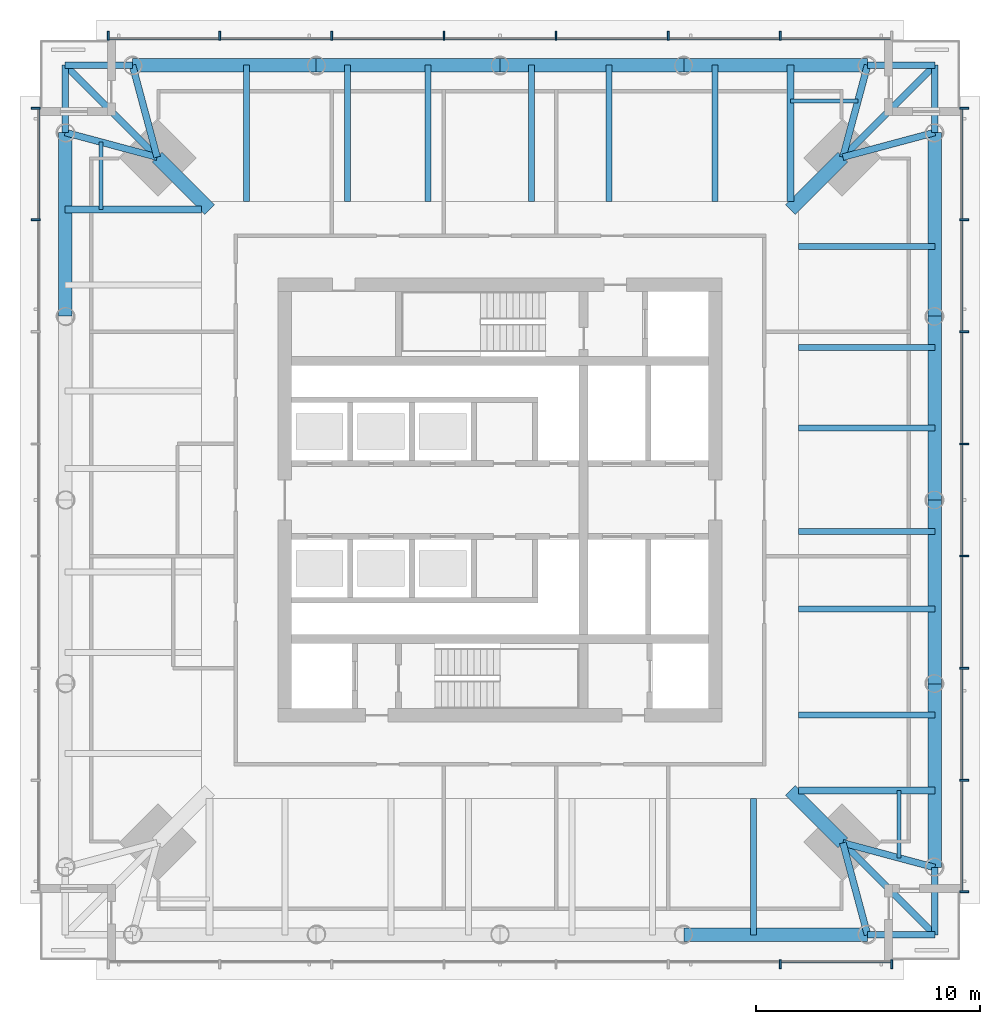
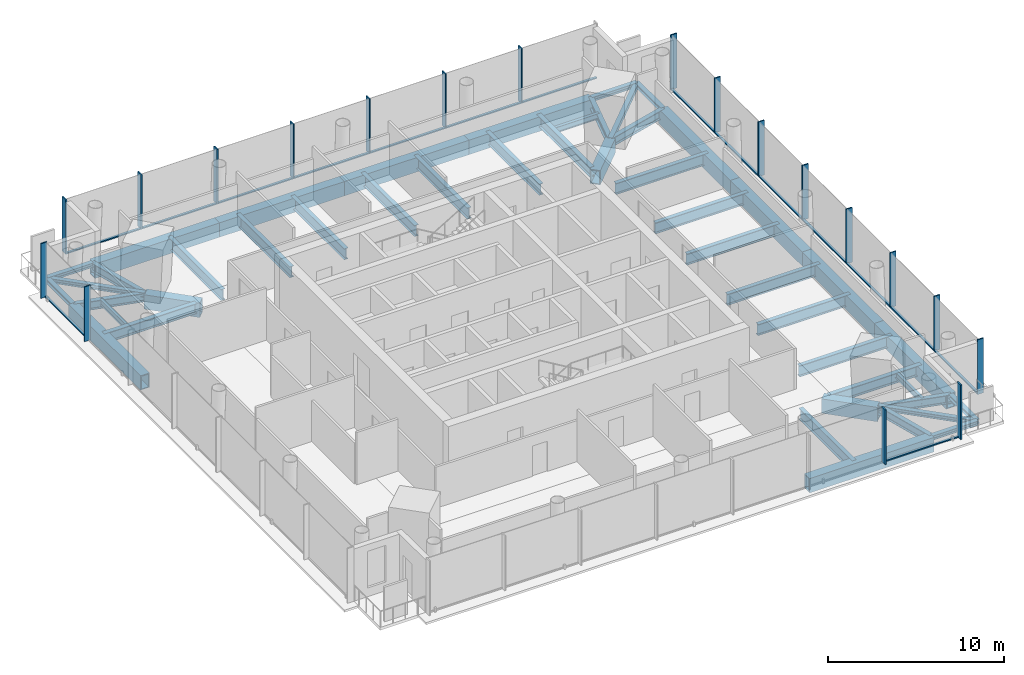
# One storey, part 2 of 12: 48 members, 34 beams, 4 elements without a shape of their own.
"""IFC4 building model written with IfcOpenShell, lengths in metres."""

from ifc_helpers import new_model, si_unit, direction, frame, origin, origin_2d, place, context, subcontext, project, spatial, rectangle, hollow_rectangle, i_section, extrude, material, material_profile, profile_set, type_object, element, aggregate, save


model = new_model("IFC4")

# Units and contexts
model_context = context("Model", 3, precision=1e-05, world=origin(), true_north=direction((0.0, 1.0)))
body_context = subcontext(model_context, "Body", "Model", "MODEL_VIEW")
ifc_project = project(units=[si_unit("LENGTHUNIT", "METRE"), si_unit("AREAUNIT", "SQUARE_METRE"), si_unit("VOLUMEUNIT", "CUBIC_METRE"), si_unit("PLANEANGLEUNIT", "RADIAN"), si_unit("MASSUNIT", "GRAM", prefix="KILO")], contexts=[model_context])

# Site, building, storey
site_placement = place(None, origin())
site = spatial("IfcSite", under=ifc_project, at=site_placement, CompositionType="ELEMENT")
building_placement = place(site_placement, origin())
building = spatial("IfcBuilding", under=site, at=building_placement, Name="Ostroluk Exchange", CompositionType="ELEMENT")
storey_placement = place(building_placement, frame((0.0, 0.0, 165.39990234375)))
storey = spatial("IfcBuildingStorey", under=building, at=storey_placement, Name="L42", CompositionType="ELEMENT", Elevation=165.39990234375)

# Beams
ifc_material_1 = material(Name="Steel S355", Category="steel")
ifc_material_profile_1 = material_profile(ifc_material_1, i_section(OverallWidth=0.300048828125, OverallDepth=0.300048828125, WebThickness=0.010986328125, FlangeThickness=0.01904296875, FilletRadius=0.027099609375, at=origin_2d()), Name="HEB 300")
ifc_profile_set_1 = profile_set([ifc_material_profile_1], Name="Steel S355")
beam_type_1 = type_object("IfcBeamType", Name="Balcony beam HEB 300", PredefinedType="BEAM", material=ifc_profile_set_1)
for number, where, z_axis, x_axis, name in (
    (1, (64.3857421875, 62.3857421875, -0.349853515625), (0.0, 1.0, 0.0), (-1.0, 0.0, 0.0), "T1 east balcony beam a"),
    (2, (61.3857421875, 65.3857421875, -0.349853515625), (1.0, 0.0, 0.0), (0.0, 1.0, 0.0), "T1 east balcony beam b"),
):
    element("IfcBeam", number, at=place(storey_placement, frame(where, z_axis=z_axis, x_axis=x_axis)), inside=storey, type_object=beam_type_1, Name=name, PredefinedType="BEAM", context=body_context, shape_type="SweptSolid", body=[
        extrude(i_section(OverallWidth=0.300048828125, OverallDepth=0.300048828125, WebThickness=0.010986328125, FlangeThickness=0.01904296875, FilletRadius=0.027099609375, at=origin_2d()), origin(), (0.0, 0.0, 1.0), 3.0),
    ])
beam_1_placement = place(storey_placement, frame((60.28564453125, 61.28564453125, -0.349853515625), z_axis=(0.707106781187, 0.707106781187, 0.0), x_axis=(-0.707106781187, 0.707106781187, 0.0)))
element("IfcBeam", 3, at=beam_1_placement, inside=storey, type_object=beam_type_1, Name="T1 east balcony beam c", PredefinedType="BEAM", context=body_context, shape_type="SweptSolid", body=[
    extrude(i_section(OverallWidth=0.300048828125, OverallDepth=0.300048828125, WebThickness=0.010986328125, FlangeThickness=0.01904296875, FilletRadius=0.027099609375, at=origin_2d()), origin(), (0.0, 0.0, 1.0), 5.79833984375),
])
for number, where, z_axis, x_axis, name in (
    (4, (28.6142578125, 65.3857421875, -0.349853515625), (-1.0, 0.0, 0.0), (0.0, -1.0, 0.0), "T1 north balcony beam a"),
    (5, (25.6142578125, 62.3857421875, -0.349853515625), (0.0, 1.0, 0.0), (-1.0, 0.0, 0.0), "T1 north balcony beam b"),
):
    element("IfcBeam", number, at=place(storey_placement, frame(where, z_axis=z_axis, x_axis=x_axis)), inside=storey, type_object=beam_type_1, Name=name, PredefinedType="BEAM", context=body_context, shape_type="SweptSolid", body=[
        extrude(i_section(OverallWidth=0.300048828125, OverallDepth=0.300048828125, WebThickness=0.010986328125, FlangeThickness=0.01904296875, FilletRadius=0.027099609375, at=origin_2d()), origin(), (0.0, 0.0, 1.0), 3.0),
    ])
beam_2_placement = place(storey_placement, frame((29.71435546875, 61.28564453125, -0.349853515625), z_axis=(-0.707106781187, 0.707106781187, 0.0), x_axis=(-0.707106781187, -0.707106781187, 0.0)))
element("IfcBeam", 6, at=beam_2_placement, inside=storey, type_object=beam_type_1, Name="T1 north balcony beam c", PredefinedType="BEAM", context=body_context, shape_type="SweptSolid", body=[
    extrude(i_section(OverallWidth=0.300048828125, OverallDepth=0.300048828125, WebThickness=0.010986328125, FlangeThickness=0.01904296875, FilletRadius=0.027099609375, at=origin_2d()), origin(), (0.0, 0.0, 1.0), 5.79833984375),
])
for number, where, z_axis, x_axis, name in (
    (7, (61.3857421875, 26.6142578125, -0.349853515625), (1.0, 0.0, 0.0), (0.0, 1.0, 0.0), "T1 south balcony beam a"),
    (8, (64.3857421875, 29.6142578125, -0.349853515625), (0.0, -1.0, 0.0), (1.0, 0.0, 0.0), "T1 south balcony beam b"),
):
    element("IfcBeam", number, at=place(storey_placement, frame(where, z_axis=z_axis, x_axis=x_axis)), inside=storey, type_object=beam_type_1, Name=name, PredefinedType="BEAM", context=body_context, shape_type="SweptSolid", body=[
        extrude(i_section(OverallWidth=0.300048828125, OverallDepth=0.300048828125, WebThickness=0.010986328125, FlangeThickness=0.01904296875, FilletRadius=0.027099609375, at=origin_2d()), origin(), (0.0, 0.0, 1.0), 3.0),
    ])
beam_3_placement = place(storey_placement, frame((60.28564453125, 30.71435546875, -0.349853515625), z_axis=(0.707106781187, -0.707106781187, 0.0), x_axis=(0.707106781187, 0.707106781187, 0.0)))
element("IfcBeam", 9, at=beam_3_placement, inside=storey, type_object=beam_type_1, Name="T1 south balcony beam c", PredefinedType="BEAM", context=body_context, shape_type="SweptSolid", body=[
    extrude(i_section(OverallWidth=0.300048828125, OverallDepth=0.300048828125, WebThickness=0.010986328125, FlangeThickness=0.01904296875, FilletRadius=0.027099609375, at=origin_2d()), origin(), (0.0, 0.0, 1.0), 5.79833984375),
])

# Members
ifc_material_2 = material(Name="Steel S460", Category="steel")
ifc_material_profile_2 = material_profile(ifc_material_2, hollow_rectangle(XDim=0.60009765625, YDim=1.0, WallThickness=0.06005859375, at=origin_2d()), Name="BOX 600x1000x60")
ifc_profile_set_2 = profile_set([ifc_material_profile_2], Name="Steel S460")
member_type_1 = type_object("IfcMemberType", Name="Belt truss chord BOX 600x1000x60", PredefinedType="CHORD", material=ifc_profile_set_2)
for number, where, z_axis, x_axis, name in (
    (10, (64.3857421875, 29.6142578125, -0.699951171875), (0.0, 1.0, 0.0), (-1.0, 0.0, 0.0), "Belt truss 2 east chord 3.1"),
    (11, (64.3857421875, 37.80712890625, -0.699951171875), (0.0, 1.0, 0.0), (-1.0, 0.0, 0.0), "Belt truss 2 east chord 3.2"),
    (12, (64.3857421875, 46.0, -0.699951171875), (0.0, 1.0, 0.0), (-1.0, 0.0, 0.0), "Belt truss 2 east chord 3.3"),
    (13, (64.3857421875, 54.19287109375, -0.699951171875), (0.0, 1.0, 0.0), (-1.0, 0.0, 0.0), "Belt truss 2 east chord 3.4"),
    (14, (61.3857421875, 65.3857421875, -0.699951171875), (-1.0, 0.0, 0.0), (0.0, -1.0, 0.0), "Belt truss 2 north chord 3.1"),
    (15, (53.19287109375, 65.3857421875, -0.699951171875), (-1.0, 0.0, 0.0), (0.0, -1.0, 0.0), "Belt truss 2 north chord 3.2"),
    (16, (45.0, 65.3857421875, -0.699951171875), (-1.0, 0.0, 0.0), (0.0, -1.0, 0.0), "Belt truss 2 north chord 3.3"),
    (17, (36.80712890625, 65.3857421875, -0.699951171875), (-1.0, 0.0, 0.0), (0.0, -1.0, 0.0), "Belt truss 2 north chord 3.4"),
    (18, (25.6142578125, 62.3857421875, -0.699951171875), (0.0, -1.0, 0.0), (1.0, 0.0, 0.0), "Belt truss 2 west chord 3.1"),
    (19, (53.19287109375, 26.6142578125, -0.699951171875), (1.0, 0.0, 0.0), (0.0, 1.0, 0.0), "Belt truss 2 south chord 3.4"),
):
    element("IfcMember", number, at=place(storey_placement, frame(where, z_axis=z_axis, x_axis=x_axis)), inside=storey, type_object=member_type_1, Name=name, PredefinedType="CHORD", context=body_context, shape_type="SweptSolid", body=[
        extrude(hollow_rectangle(XDim=0.60009765625, YDim=1.0, WallThickness=0.06005859375, at=origin_2d()), origin(), (0.0, 0.0, 1.0), 8.19287109375),
    ])

# Beams
ifc_material_3 = material(Name="Steel S355", Category="steel")
ifc_material_profile_3 = material_profile(ifc_material_3, i_section(OverallWidth=0.300048828125, OverallDepth=0.60009765625, WebThickness=0.015380859375, FlangeThickness=0.030029296875, FilletRadius=0.027099609375, at=origin_2d()), Name="HEB 600")
ifc_profile_set_3 = profile_set([ifc_material_profile_3], Name="Steel S355")
beam_type_2 = type_object("IfcBeamType", Name="Corner edge beam HEB 600", PredefinedType="SPANDREL", material=ifc_profile_set_3)
for number, where, z_axis, x_axis, name in (
    (20, (60.28564453125, 61.28564453125, -0.5), (0.965838624319, 0.259144268261, 0.0), (-0.259144268261, 0.965838624319, 0.0), "T1 east corner edge beam a"),
    (21, (60.28564453125, 61.28564453125, -0.5), (0.259144268261, 0.965838624319, 0.0), (-0.965838624319, 0.259144268261, 0.0), "T1 east corner edge beam b"),
    (22, (29.71435546875, 61.28564453125, -0.5), (-0.259144268261, 0.965838624319, 0.0), (-0.965838624319, -0.259144268261, 0.0), "T1 north corner edge beam a"),
    (23, (29.71435546875, 61.28564453125, -0.5), (-0.965838624319, 0.259144268261, 0.0), (-0.259144268261, -0.965838624319, 0.0), "T1 north corner edge beam b"),
    (24, (60.28564453125, 30.71435546875, -0.5), (0.259144268261, -0.965838624319, 0.0), (0.965838624319, 0.259144268261, 0.0), "T1 south corner edge beam a"),
    (25, (60.28564453125, 30.71435546875, -0.5), (0.965838624319, -0.259144268261, 0.0), (0.259144268261, 0.965838624319, 0.0), "T1 south corner edge beam b"),
):
    element("IfcBeam", number, at=place(storey_placement, frame(where, z_axis=z_axis, x_axis=x_axis)), inside=storey, type_object=beam_type_2, Name=name, PredefinedType="SPANDREL", context=body_context, shape_type="SweptSolid", body=[
        extrude(i_section(OverallWidth=0.300048828125, OverallDepth=0.60009765625, WebThickness=0.015380859375, FlangeThickness=0.030029296875, FilletRadius=0.027099609375, at=origin_2d()), origin(), (0.0, 0.0, 1.0), 4.2451171875),
    ])
ifc_material_4 = material(Name="Steel S355", Category="steel")
ifc_material_profile_4 = material_profile(ifc_material_4, i_section(OverallWidth=0.179931640625, OverallDepth=0.39990234375, WebThickness=0.008544921875, FlangeThickness=0.013427734375, FilletRadius=0.02099609375, at=origin_2d()), Name="IPE 400")
ifc_profile_set_4 = profile_set([ifc_material_profile_4], Name="Steel S355")
beam_type_3 = type_object("IfcBeamType", Name="Floor beam IPE 400", PredefinedType="BEAM", material=ifc_profile_set_4)
for number, where, z_axis, x_axis, name in (
    (26, (57.949951171875, 63.78564453125, -0.39990234375), (1.0, 0.0, 0.0), (0.0, 1.0, 0.0), "T1 east floor beam 7"),
    (27, (27.21435546875, 58.949951171875, -0.39990234375), (0.0, 1.0, 0.0), (-1.0, 0.0, 0.0), "T1 north floor beam 7"),
    (28, (62.78564453125, 33.050048828125, -0.39990234375), (0.0, -1.0, 0.0), (1.0, 0.0, 0.0), "T1 south floor beam 7"),
):
    element("IfcBeam", number, at=place(storey_placement, frame(where, z_axis=z_axis, x_axis=x_axis)), inside=storey, type_object=beam_type_3, Name=name, PredefinedType="BEAM", context=body_context, shape_type="SweptSolid", body=[
        extrude(i_section(OverallWidth=0.179931640625, OverallDepth=0.39990234375, WebThickness=0.008544921875, FlangeThickness=0.013427734375, FilletRadius=0.02099609375, at=origin_2d()), origin(), (0.0, 0.0, 1.0), 3.006591796875),
    ])
ifc_material_5 = material(Name="Steel S355", Category="steel")
ifc_material_profile_5 = material_profile(ifc_material_5, i_section(OverallWidth=0.26806640625, OverallDepth=0.77001953125, WebThickness=0.015625, FlangeThickness=0.025390625, FilletRadius=0.01708984375, at=origin_2d()), Name="IPE 750x196")
ifc_profile_set_5 = profile_set([ifc_material_profile_5], Name="Steel S355")
beam_type_4 = type_object("IfcBeamType", Name="Floor beam IPE 750x196", PredefinedType="BEAM", material=ifc_profile_set_5)
for number, where, z_axis, x_axis, name in (
    (29, (58.300048828125, 36.4072265625, -0.5849609375), (1.0, 0.0, 0.0), (0.0, 1.0, 0.0), "T1 east floor beam 1"),
    (30, (58.300048828125, 41.134033203125, -0.5849609375), (1.0, 0.0, 0.0), (0.0, 1.0, 0.0), "T1 east floor beam 2"),
    (31, (58.300048828125, 44.60009765625, -0.5849609375), (1.0, 0.0, 0.0), (0.0, 1.0, 0.0), "T1 east floor beam 3"),
    (32, (58.300048828125, 49.2177734375, -0.5849609375), (1.0, 0.0, 0.0), (0.0, 1.0, 0.0), "T1 east floor beam 4"),
    (33, (58.300048828125, 52.79296875, -0.5849609375), (1.0, 0.0, 0.0), (0.0, 1.0, 0.0), "T1 east floor beam 5"),
    (34, (58.300048828125, 57.3017578125, -0.5849609375), (1.0, 0.0, 0.0), (0.0, 1.0, 0.0), "T1 east floor beam 6"),
    (35, (54.5927734375, 59.300048828125, -0.5849609375), (0.0, 1.0, 0.0), (-1.0, 0.0, 0.0), "T1 north floor beam 1"),
    (36, (49.865966796875, 59.300048828125, -0.5849609375), (0.0, 1.0, 0.0), (-1.0, 0.0, 0.0), "T1 north floor beam 2"),
    (37, (46.39990234375, 59.300048828125, -0.5849609375), (0.0, 1.0, 0.0), (-1.0, 0.0, 0.0), "T1 north floor beam 3"),
    (38, (41.7822265625, 59.300048828125, -0.5849609375), (0.0, 1.0, 0.0), (-1.0, 0.0, 0.0), "T1 north floor beam 4"),
    (39, (38.20703125, 59.300048828125, -0.5849609375), (0.0, 1.0, 0.0), (-1.0, 0.0, 0.0), "T1 north floor beam 5"),
    (40, (33.6982421875, 59.300048828125, -0.5849609375), (0.0, 1.0, 0.0), (-1.0, 0.0, 0.0), "T1 north floor beam 6"),
    (41, (56.3017578125, 32.699951171875, -0.5849609375), (0.0, -1.0, 0.0), (1.0, 0.0, 0.0), "T1 south floor beam 6"),
):
    element("IfcBeam", number, at=place(storey_placement, frame(where, z_axis=z_axis, x_axis=x_axis)), inside=storey, type_object=beam_type_4, Name=name, PredefinedType="BEAM", context=body_context, shape_type="SweptSolid", body=[
        extrude(i_section(OverallWidth=0.26806640625, OverallDepth=0.77001953125, WebThickness=0.015625, FlangeThickness=0.025390625, FilletRadius=0.01708984375, at=origin_2d()), origin(), (0.0, 0.0, 1.0), 6.085693359375),
    ])
ifc_material_6 = material(Name="Steel S355", Category="steel")
ifc_material_profile_6 = material_profile(ifc_material_6, i_section(OverallWidth=0.300048828125, OverallDepth=0.699951171875, WebThickness=0.01708984375, FlangeThickness=0.031982421875, FilletRadius=0.027099609375, at=origin_2d()), Name="HEB 700")
ifc_profile_set_6 = profile_set([ifc_material_profile_6], Name="Steel S355")
beam_type_5 = type_object("IfcBeamType", Name="Girder HEB 700", PredefinedType="BEAM", material=ifc_profile_set_6)
for number, where, z_axis, x_axis, name in (
    (42, (57.949951171875, 59.300048828125, -0.5498046875), (0.0, 1.0, 0.0), (-1.0, 0.0, 0.0), "T1 east girder"),
    (43, (31.699951171875, 58.949951171875, -0.5498046875), (-1.0, 0.0, 0.0), (0.0, -1.0, 0.0), "T1 north girder"),
    (44, (58.300048828125, 33.050048828125, -0.5498046875), (1.0, 0.0, 0.0), (0.0, 1.0, 0.0), "T1 south girder"),
):
    element("IfcBeam", number, at=place(storey_placement, frame(where, z_axis=z_axis, x_axis=x_axis)), inside=storey, type_object=beam_type_5, Name=name, PredefinedType="BEAM", context=body_context, shape_type="SweptSolid", body=[
        extrude(i_section(OverallWidth=0.300048828125, OverallDepth=0.699951171875, WebThickness=0.01708984375, FlangeThickness=0.031982421875, FilletRadius=0.027099609375, at=origin_2d()), origin(), (0.0, 0.0, 1.0), 6.085693359375),
    ])

# Members
ifc_material_7 = material(Name="Steel S460", Category="steel")
ifc_material_profile_7 = material_profile(ifc_material_7, hollow_rectangle(XDim=0.60009765625, YDim=1.0, WallThickness=0.06005859375, at=origin_2d()), Name="BOX 600x1000x60")
ifc_profile_set_7 = profile_set([ifc_material_profile_7], Name="Steel S460")
member_type_2 = type_object("IfcMemberType", Name="Outrigger chord BOX 600x1000x60", PredefinedType="CHORD", material=ifc_profile_set_7)
for number, where, z_axis, x_axis, name in (
    (45, (57.949951171875, 58.949951171875, -0.699951171875), (0.707106781187, 0.707106781187, 0.0), (-0.707106781187, 0.707106781187, 0.0), "Outrigger 2 NE chord 3"),
    (46, (32.050048828125, 58.949951171875, -0.699951171875), (-0.707106781187, 0.707106781187, 0.0), (-0.707106781187, -0.707106781187, 0.0), "Outrigger 2 NW chord 3"),
    (47, (57.949951171875, 33.050048828125, -0.699951171875), (0.707106781187, -0.707106781187, 0.0), (0.707106781187, 0.707106781187, 0.0), "Outrigger 2 SE chord 3"),
):
    element("IfcMember", number, at=place(storey_placement, frame(where, z_axis=z_axis, x_axis=x_axis)), inside=storey, type_object=member_type_2, Name=name, PredefinedType="CHORD", context=body_context, shape_type="SweptSolid", body=[
        extrude(hollow_rectangle(XDim=0.60009765625, YDim=1.0, WallThickness=0.06005859375, at=origin_2d()), origin(), (0.0, 0.0, 1.0), 3.30322265625),
    ])

# Curtain wall, member
ifc_material_8 = material(Name="Laminated clear glass", Category="glass")
curtain_wall_type = type_object("IfcCurtainWallType", Name="Office tower plant and sky lobby facade", PredefinedType="USERDEFINED", material=ifc_material_8)
curtain_wall_1_placement = place(storey_placement, origin())
curtain_wall_1 = element("IfcCurtainWall", 48, at=curtain_wall_1_placement, inside=storey, type_object=curtain_wall_type, Name="Office tower south facade L42", ObjectType="LOUVRED CURTAIN WALL", PredefinedType="USERDEFINED")
ifc_material_9 = material(Name="Aluminium mullion", Category="aluminium")
ifc_material_profile_8 = material_profile(ifc_material_9, rectangle(XDim=0.14990234375, YDim=0.080078125, at=origin_2d()), Name="Sill transom 80 x 150")
ifc_profile_set_8 = profile_set([ifc_material_profile_8], Name="Aluminium mullion")
member_type_3 = type_object("IfcMemberType", Name="Sill transom 80 x 150", PredefinedType="USERDEFINED", material=ifc_profile_set_8)
member_1_placement = place(storey_placement, frame((57.5400390625, 25.425048828125, 0.0400390625), z_axis=(1.0, 0.0, 0.0), x_axis=(0.0, 1.0, 0.0)))
member_1 = element("IfcMember", 49, at=member_1_placement, type_object=member_type_3, Name="CW-P1 transom 7.1", ObjectType="TRANSOM", PredefinedType="USERDEFINED", context=body_context, shape_type="SweptSolid", body=[
    extrude(rectangle(XDim=0.14990234375, YDim=0.080078125, at=origin_2d()), origin(), (0.0, 0.0, 1.0), 4.8798828125),
])

# Curtain wall, members
curtain_wall_2_placement = place(storey_placement, origin())
curtain_wall_2 = element("IfcCurtainWall", 50, at=curtain_wall_2_placement, inside=storey, type_object=curtain_wall_type, Name="Office tower east facade L42", ObjectType="LOUVRED CURTAIN WALL", PredefinedType="USERDEFINED")
member_2_placement = place(storey_placement, frame((65.574951171875, 28.580078125, 0.0400390625), z_axis=(0.0, 1.0, 0.0), x_axis=(-1.0, 0.0, 0.0)))
member_2 = element("IfcMember", 51, at=member_2_placement, type_object=member_type_3, Name="CW-P1 transom 1.1", ObjectType="TRANSOM", PredefinedType="USERDEFINED", context=body_context, shape_type="SweptSolid", body=[
    extrude(rectangle(XDim=0.14990234375, YDim=0.080078125, at=origin_2d()), origin(), (0.0, 0.0, 1.0), 4.8798828125),
])
member_3_placement = place(storey_placement, frame((65.574951171875, 33.5400390625, 0.0400390625), z_axis=(0.0, 1.0, 0.0), x_axis=(-1.0, 0.0, 0.0)))
member_3 = element("IfcMember", 52, at=member_3_placement, type_object=member_type_3, Name="CW-P1 transom 2.1", ObjectType="TRANSOM", PredefinedType="USERDEFINED", context=body_context, shape_type="SweptSolid", body=[
    extrude(rectangle(XDim=0.14990234375, YDim=0.080078125, at=origin_2d()), origin(), (0.0, 0.0, 1.0), 4.919921875),
])
member_4_placement = place(storey_placement, frame((65.574951171875, 38.5400390625, 0.0400390625), z_axis=(0.0, 1.0, 0.0), x_axis=(-1.0, 0.0, 0.0)))
member_4 = element("IfcMember", 53, at=member_4_placement, type_object=member_type_3, Name="CW-P1 transom 3.1", ObjectType="TRANSOM", PredefinedType="USERDEFINED", context=body_context, shape_type="SweptSolid", body=[
    extrude(rectangle(XDim=0.14990234375, YDim=0.080078125, at=origin_2d()), origin(), (0.0, 0.0, 1.0), 4.919921875),
])
member_5_placement = place(storey_placement, frame((65.574951171875, 43.5400390625, 0.0400390625), z_axis=(0.0, 1.0, 0.0), x_axis=(-1.0, 0.0, 0.0)))
member_5 = element("IfcMember", 54, at=member_5_placement, type_object=member_type_3, Name="CW-P1 transom 4.1", ObjectType="TRANSOM", PredefinedType="USERDEFINED", context=body_context, shape_type="SweptSolid", body=[
    extrude(rectangle(XDim=0.14990234375, YDim=0.080078125, at=origin_2d()), origin(), (0.0, 0.0, 1.0), 4.919921875),
])
member_6_placement = place(storey_placement, frame((65.574951171875, 48.5400390625, 0.0400390625), z_axis=(0.0, 1.0, 0.0), x_axis=(-1.0, 0.0, 0.0)))
member_6 = element("IfcMember", 55, at=member_6_placement, type_object=member_type_3, Name="CW-P1 transom 5.1", ObjectType="TRANSOM", PredefinedType="USERDEFINED", context=body_context, shape_type="SweptSolid", body=[
    extrude(rectangle(XDim=0.14990234375, YDim=0.080078125, at=origin_2d()), origin(), (0.0, 0.0, 1.0), 4.919921875),
])
member_7_placement = place(storey_placement, frame((65.574951171875, 53.5400390625, 0.0400390625), z_axis=(0.0, 1.0, 0.0), x_axis=(-1.0, 0.0, 0.0)))
member_7 = element("IfcMember", 56, at=member_7_placement, type_object=member_type_3, Name="CW-P1 transom 6.1", ObjectType="TRANSOM", PredefinedType="USERDEFINED", context=body_context, shape_type="SweptSolid", body=[
    extrude(rectangle(XDim=0.14990234375, YDim=0.080078125, at=origin_2d()), origin(), (0.0, 0.0, 1.0), 4.919921875),
])
member_8_placement = place(storey_placement, frame((65.574951171875, 58.5400390625, 0.0400390625), z_axis=(0.0, 1.0, 0.0), x_axis=(-1.0, 0.0, 0.0)))
member_8 = element("IfcMember", 57, at=member_8_placement, type_object=member_type_3, Name="CW-P1 transom 7.1", ObjectType="TRANSOM", PredefinedType="USERDEFINED", context=body_context, shape_type="SweptSolid", body=[
    extrude(rectangle(XDim=0.14990234375, YDim=0.080078125, at=origin_2d()), origin(), (0.0, 0.0, 1.0), 4.8798828125),
])

curtain_wall_3_placement = place(storey_placement, origin())
curtain_wall_3 = element("IfcCurtainWall", 58, at=curtain_wall_3_placement, inside=storey, type_object=curtain_wall_type, Name="Office tower north facade L42", ObjectType="LOUVRED CURTAIN WALL", PredefinedType="USERDEFINED")
member_9_placement = place(storey_placement, frame((62.419921875, 66.574951171875, 0.0400390625), z_axis=(-1.0, 0.0, 0.0), x_axis=(0.0, -1.0, 0.0)))
member_9 = element("IfcMember", 59, at=member_9_placement, type_object=member_type_3, Name="CW-P1 transom 1.1", ObjectType="TRANSOM", PredefinedType="USERDEFINED", context=body_context, shape_type="SweptSolid", body=[
    extrude(rectangle(XDim=0.14990234375, YDim=0.080078125, at=origin_2d()), origin(), (0.0, 0.0, 1.0), 4.8798828125),
])
member_10_placement = place(storey_placement, frame((57.4599609375, 66.574951171875, 0.0400390625), z_axis=(-1.0, 0.0, 0.0), x_axis=(0.0, -1.0, 0.0)))
member_10 = element("IfcMember", 60, at=member_10_placement, type_object=member_type_3, Name="CW-P1 transom 2.1", ObjectType="TRANSOM", PredefinedType="USERDEFINED", context=body_context, shape_type="SweptSolid", body=[
    extrude(rectangle(XDim=0.14990234375, YDim=0.080078125, at=origin_2d()), origin(), (0.0, 0.0, 1.0), 4.919921875),
])
member_11_placement = place(storey_placement, frame((52.4599609375, 66.574951171875, 0.0400390625), z_axis=(-1.0, 0.0, 0.0), x_axis=(0.0, -1.0, 0.0)))
member_11 = element("IfcMember", 61, at=member_11_placement, type_object=member_type_3, Name="CW-P1 transom 3.1", ObjectType="TRANSOM", PredefinedType="USERDEFINED", context=body_context, shape_type="SweptSolid", body=[
    extrude(rectangle(XDim=0.14990234375, YDim=0.080078125, at=origin_2d()), origin(), (0.0, 0.0, 1.0), 4.919921875),
])
member_12_placement = place(storey_placement, frame((47.4599609375, 66.574951171875, 0.0400390625), z_axis=(-1.0, 0.0, 0.0), x_axis=(0.0, -1.0, 0.0)))
member_12 = element("IfcMember", 62, at=member_12_placement, type_object=member_type_3, Name="CW-P1 transom 4.1", ObjectType="TRANSOM", PredefinedType="USERDEFINED", context=body_context, shape_type="SweptSolid", body=[
    extrude(rectangle(XDim=0.14990234375, YDim=0.080078125, at=origin_2d()), origin(), (0.0, 0.0, 1.0), 4.919921875),
])
member_13_placement = place(storey_placement, frame((42.4599609375, 66.574951171875, 0.0400390625), z_axis=(-1.0, 0.0, 0.0), x_axis=(0.0, -1.0, 0.0)))
member_13 = element("IfcMember", 63, at=member_13_placement, type_object=member_type_3, Name="CW-P1 transom 5.1", ObjectType="TRANSOM", PredefinedType="USERDEFINED", context=body_context, shape_type="SweptSolid", body=[
    extrude(rectangle(XDim=0.14990234375, YDim=0.080078125, at=origin_2d()), origin(), (0.0, 0.0, 1.0), 4.919921875),
])
member_14_placement = place(storey_placement, frame((37.4599609375, 66.574951171875, 0.0400390625), z_axis=(-1.0, 0.0, 0.0), x_axis=(0.0, -1.0, 0.0)))
member_14 = element("IfcMember", 64, at=member_14_placement, type_object=member_type_3, Name="CW-P1 transom 6.1", ObjectType="TRANSOM", PredefinedType="USERDEFINED", context=body_context, shape_type="SweptSolid", body=[
    extrude(rectangle(XDim=0.14990234375, YDim=0.080078125, at=origin_2d()), origin(), (0.0, 0.0, 1.0), 4.919921875),
])
member_15_placement = place(storey_placement, frame((32.4599609375, 66.574951171875, 0.0400390625), z_axis=(-1.0, 0.0, 0.0), x_axis=(0.0, -1.0, 0.0)))
member_15 = element("IfcMember", 65, at=member_15_placement, type_object=member_type_3, Name="CW-P1 transom 7.1", ObjectType="TRANSOM", PredefinedType="USERDEFINED", context=body_context, shape_type="SweptSolid", body=[
    extrude(rectangle(XDim=0.14990234375, YDim=0.080078125, at=origin_2d()), origin(), (0.0, 0.0, 1.0), 4.8798828125),
])

# Curtain wall, member
curtain_wall_4_placement = place(storey_placement, origin())
curtain_wall_4 = element("IfcCurtainWall", 66, at=curtain_wall_4_placement, inside=storey, type_object=curtain_wall_type, Name="Office tower west facade L42", ObjectType="LOUVRED CURTAIN WALL", PredefinedType="USERDEFINED")
member_16_placement = place(storey_placement, frame((24.425048828125, 63.419921875, 0.0400390625), z_axis=(0.0, -1.0, 0.0), x_axis=(1.0, 0.0, 0.0)))
member_16 = element("IfcMember", 67, at=member_16_placement, type_object=member_type_3, Name="CW-P1 transom 1.1", ObjectType="TRANSOM", PredefinedType="USERDEFINED", context=body_context, shape_type="SweptSolid", body=[
    extrude(rectangle(XDim=0.14990234375, YDim=0.080078125, at=origin_2d()), origin(), (0.0, 0.0, 1.0), 4.8798828125),
])

# Member
ifc_material_10 = material(Name="Aluminium mullion with limestone facing", Category="masonry")
ifc_material_profile_9 = material_profile(ifc_material_10, rectangle(XDim=0.39990234375, YDim=0.080078125, at=origin_2d()), Name="Tracery mullion 80 x 400")
ifc_profile_set_9 = profile_set([ifc_material_profile_9], Name="Aluminium mullion with limestone facing")
member_type_4 = type_object("IfcMemberType", Name="Tracery mullion 80 x 400", PredefinedType="MULLION", material=ifc_profile_set_9)
member_17_placement = place(storey_placement, frame((57.5, 25.300048828125, 0.0), z_axis=(0.0, 0.0, 1.0), x_axis=(0.0, 1.0, 0.0)))
member_17 = element("IfcMember", 68, at=member_17_placement, type_object=member_type_4, Name="CW-P1 mullion 7", PredefinedType="MULLION", context=body_context, shape_type="SweptSolid", body=[
    extrude(rectangle(XDim=0.39990234375, YDim=0.080078125, at=origin_2d()), origin(), (0.0, 0.0, 1.0), 3.800048828125),
])

member_18_placement = place(storey_placement, frame((62.4599609375, 25.300048828125, 0.0), z_axis=(0.0, 0.0, 1.0), x_axis=(0.0, 1.0, 0.0)))
member_18 = element("IfcMember", 69, at=member_18_placement, type_object=member_type_4, Name="CW-P1 mullion 8", PredefinedType="MULLION", context=body_context, shape_type="SweptSolid", body=[
    extrude(rectangle(XDim=0.39990234375, YDim=0.080078125, at=origin_2d()), origin(), (0.0, 0.0, 1.0), 3.800048828125),
])

aggregate(curtain_wall_1, [member_17, member_18, member_1])

member_19_placement = place(storey_placement, frame((65.699951171875, 28.5400390625, 0.0), z_axis=(0.0, 0.0, 1.0), x_axis=(-1.0, 0.0, 0.0)))
member_19 = element("IfcMember", 70, at=member_19_placement, type_object=member_type_4, Name="CW-P1 mullion 1", PredefinedType="MULLION", context=body_context, shape_type="SweptSolid", body=[
    extrude(rectangle(XDim=0.39990234375, YDim=0.080078125, at=origin_2d()), origin(), (0.0, 0.0, 1.0), 3.800048828125),
])

member_20_placement = place(storey_placement, frame((65.699951171875, 33.5, 0.0), z_axis=(0.0, 0.0, 1.0), x_axis=(-1.0, 0.0, 0.0)))
member_20 = element("IfcMember", 71, at=member_20_placement, type_object=member_type_4, Name="CW-P1 mullion 2", PredefinedType="MULLION", context=body_context, shape_type="SweptSolid", body=[
    extrude(rectangle(XDim=0.39990234375, YDim=0.080078125, at=origin_2d()), origin(), (0.0, 0.0, 1.0), 3.800048828125),
])

member_21_placement = place(storey_placement, frame((65.699951171875, 38.5, 0.0), z_axis=(0.0, 0.0, 1.0), x_axis=(-1.0, 0.0, 0.0)))
member_21 = element("IfcMember", 72, at=member_21_placement, type_object=member_type_4, Name="CW-P1 mullion 3", PredefinedType="MULLION", context=body_context, shape_type="SweptSolid", body=[
    extrude(rectangle(XDim=0.39990234375, YDim=0.080078125, at=origin_2d()), origin(), (0.0, 0.0, 1.0), 3.800048828125),
])

member_22_placement = place(storey_placement, frame((65.699951171875, 43.5, 0.0), z_axis=(0.0, 0.0, 1.0), x_axis=(-1.0, 0.0, 0.0)))
member_22 = element("IfcMember", 73, at=member_22_placement, type_object=member_type_4, Name="CW-P1 mullion 4", PredefinedType="MULLION", context=body_context, shape_type="SweptSolid", body=[
    extrude(rectangle(XDim=0.39990234375, YDim=0.080078125, at=origin_2d()), origin(), (0.0, 0.0, 1.0), 3.800048828125),
])

member_23_placement = place(storey_placement, frame((65.699951171875, 48.5, 0.0), z_axis=(0.0, 0.0, 1.0), x_axis=(-1.0, 0.0, 0.0)))
member_23 = element("IfcMember", 74, at=member_23_placement, type_object=member_type_4, Name="CW-P1 mullion 5", PredefinedType="MULLION", context=body_context, shape_type="SweptSolid", body=[
    extrude(rectangle(XDim=0.39990234375, YDim=0.080078125, at=origin_2d()), origin(), (0.0, 0.0, 1.0), 3.800048828125),
])

member_24_placement = place(storey_placement, frame((65.699951171875, 53.5, 0.0), z_axis=(0.0, 0.0, 1.0), x_axis=(-1.0, 0.0, 0.0)))
member_24 = element("IfcMember", 75, at=member_24_placement, type_object=member_type_4, Name="CW-P1 mullion 6", PredefinedType="MULLION", context=body_context, shape_type="SweptSolid", body=[
    extrude(rectangle(XDim=0.39990234375, YDim=0.080078125, at=origin_2d()), origin(), (0.0, 0.0, 1.0), 3.800048828125),
])

member_25_placement = place(storey_placement, frame((65.699951171875, 58.5, 0.0), z_axis=(0.0, 0.0, 1.0), x_axis=(-1.0, 0.0, 0.0)))
member_25 = element("IfcMember", 76, at=member_25_placement, type_object=member_type_4, Name="CW-P1 mullion 7", PredefinedType="MULLION", context=body_context, shape_type="SweptSolid", body=[
    extrude(rectangle(XDim=0.39990234375, YDim=0.080078125, at=origin_2d()), origin(), (0.0, 0.0, 1.0), 3.800048828125),
])

member_26_placement = place(storey_placement, frame((65.699951171875, 63.4599609375, 0.0), z_axis=(0.0, 0.0, 1.0), x_axis=(-1.0, 0.0, 0.0)))
member_26 = element("IfcMember", 77, at=member_26_placement, type_object=member_type_4, Name="CW-P1 mullion 8", PredefinedType="MULLION", context=body_context, shape_type="SweptSolid", body=[
    extrude(rectangle(XDim=0.39990234375, YDim=0.080078125, at=origin_2d()), origin(), (0.0, 0.0, 1.0), 3.800048828125),
])

aggregate(curtain_wall_2, [member_19, member_20, member_21, member_22, member_23, member_24, member_25, member_26, member_2, member_3, member_4, member_5, member_6, member_7, member_8])

member_27_placement = place(storey_placement, frame((57.5, 66.699951171875, 0.0), z_axis=(0.0, 0.0, 1.0), x_axis=(0.0, -1.0, 0.0)))
member_27 = element("IfcMember", 78, at=member_27_placement, type_object=member_type_4, Name="CW-P1 mullion 2", PredefinedType="MULLION", context=body_context, shape_type="SweptSolid", body=[
    extrude(rectangle(XDim=0.39990234375, YDim=0.080078125, at=origin_2d()), origin(), (0.0, 0.0, 1.0), 3.800048828125),
])

member_28_placement = place(storey_placement, frame((52.5, 66.699951171875, 0.0), z_axis=(0.0, 0.0, 1.0), x_axis=(0.0, -1.0, 0.0)))
member_28 = element("IfcMember", 79, at=member_28_placement, type_object=member_type_4, Name="CW-P1 mullion 3", PredefinedType="MULLION", context=body_context, shape_type="SweptSolid", body=[
    extrude(rectangle(XDim=0.39990234375, YDim=0.080078125, at=origin_2d()), origin(), (0.0, 0.0, 1.0), 3.800048828125),
])

member_29_placement = place(storey_placement, frame((47.5, 66.699951171875, 0.0), z_axis=(0.0, 0.0, 1.0), x_axis=(0.0, -1.0, 0.0)))
member_29 = element("IfcMember", 80, at=member_29_placement, type_object=member_type_4, Name="CW-P1 mullion 4", PredefinedType="MULLION", context=body_context, shape_type="SweptSolid", body=[
    extrude(rectangle(XDim=0.39990234375, YDim=0.080078125, at=origin_2d()), origin(), (0.0, 0.0, 1.0), 3.800048828125),
])

member_30_placement = place(storey_placement, frame((42.5, 66.699951171875, 0.0), z_axis=(0.0, 0.0, 1.0), x_axis=(0.0, -1.0, 0.0)))
member_30 = element("IfcMember", 81, at=member_30_placement, type_object=member_type_4, Name="CW-P1 mullion 5", PredefinedType="MULLION", context=body_context, shape_type="SweptSolid", body=[
    extrude(rectangle(XDim=0.39990234375, YDim=0.080078125, at=origin_2d()), origin(), (0.0, 0.0, 1.0), 3.800048828125),
])

member_31_placement = place(storey_placement, frame((37.5, 66.699951171875, 0.0), z_axis=(0.0, 0.0, 1.0), x_axis=(0.0, -1.0, 0.0)))
member_31 = element("IfcMember", 82, at=member_31_placement, type_object=member_type_4, Name="CW-P1 mullion 6", PredefinedType="MULLION", context=body_context, shape_type="SweptSolid", body=[
    extrude(rectangle(XDim=0.39990234375, YDim=0.080078125, at=origin_2d()), origin(), (0.0, 0.0, 1.0), 3.800048828125),
])

member_32_placement = place(storey_placement, frame((32.5, 66.699951171875, 0.0), z_axis=(0.0, 0.0, 1.0), x_axis=(0.0, -1.0, 0.0)))
member_32 = element("IfcMember", 83, at=member_32_placement, type_object=member_type_4, Name="CW-P1 mullion 7", PredefinedType="MULLION", context=body_context, shape_type="SweptSolid", body=[
    extrude(rectangle(XDim=0.39990234375, YDim=0.080078125, at=origin_2d()), origin(), (0.0, 0.0, 1.0), 3.800048828125),
])

member_33_placement = place(storey_placement, frame((27.5400390625, 66.699951171875, 0.0), z_axis=(0.0, 0.0, 1.0), x_axis=(0.0, -1.0, 0.0)))
member_33 = element("IfcMember", 84, at=member_33_placement, type_object=member_type_4, Name="CW-P1 mullion 8", PredefinedType="MULLION", context=body_context, shape_type="SweptSolid", body=[
    extrude(rectangle(XDim=0.39990234375, YDim=0.080078125, at=origin_2d()), origin(), (0.0, 0.0, 1.0), 3.800048828125),
])

aggregate(curtain_wall_3, [member_27, member_28, member_29, member_30, member_31, member_32, member_33, member_9, member_10, member_11, member_12, member_13, member_14, member_15])

member_34_placement = place(storey_placement, frame((24.300048828125, 63.4599609375, 0.0), z_axis=(0.0, 0.0, 1.0), x_axis=(1.0, 0.0, 0.0)))
member_34 = element("IfcMember", 85, at=member_34_placement, type_object=member_type_4, Name="CW-P1 mullion 1", PredefinedType="MULLION", context=body_context, shape_type="SweptSolid", body=[
    extrude(rectangle(XDim=0.39990234375, YDim=0.080078125, at=origin_2d()), origin(), (0.0, 0.0, 1.0), 3.800048828125),
])

member_35_placement = place(storey_placement, frame((24.300048828125, 58.5, 0.0), z_axis=(0.0, 0.0, 1.0), x_axis=(1.0, 0.0, 0.0)))
member_35 = element("IfcMember", 86, at=member_35_placement, type_object=member_type_4, Name="CW-P1 mullion 2", PredefinedType="MULLION", context=body_context, shape_type="SweptSolid", body=[
    extrude(rectangle(XDim=0.39990234375, YDim=0.080078125, at=origin_2d()), origin(), (0.0, 0.0, 1.0), 3.800048828125),
])

aggregate(curtain_wall_4, [member_34, member_35, member_16])

save(model, "model.ifc")
